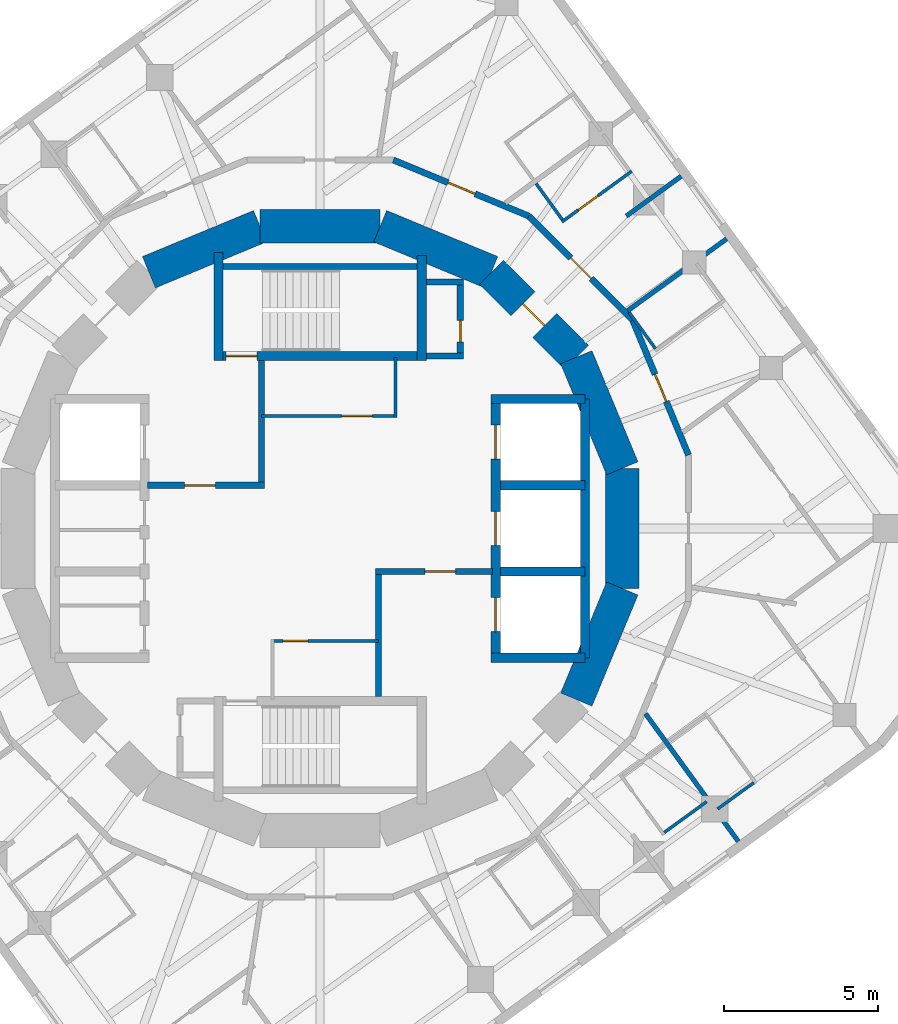
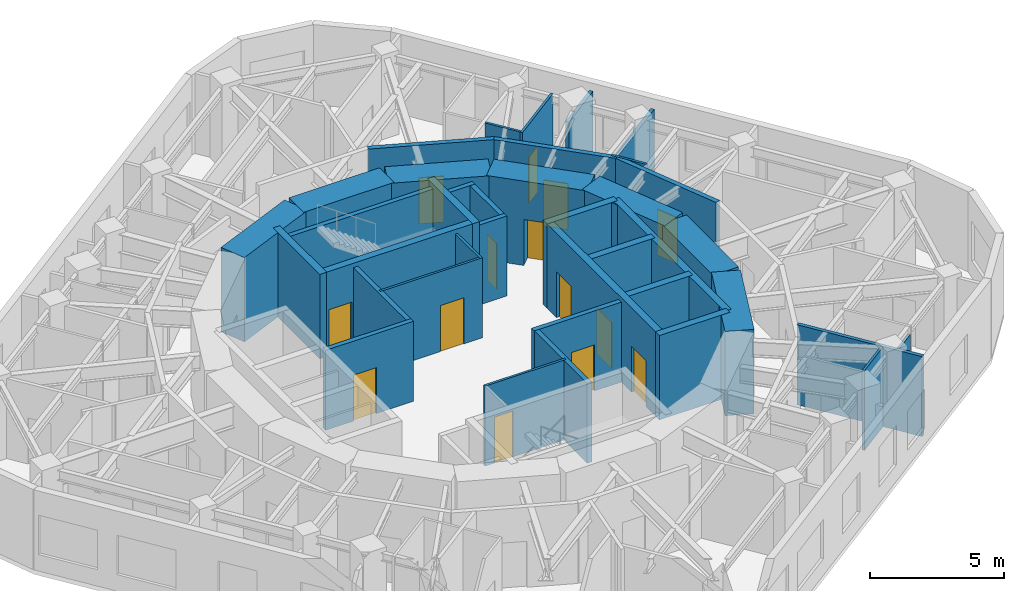
# One storey, part 6 of 9: 38 walls, 14 doors, 14 openings.
"""IFC4 building model written with IfcOpenShell, lengths in metres."""

from ifc_helpers import new_model, si_unit, direction, frame, frame_2d, origin, place, context, subcontext, project, spatial, rectangle, extrude, material, layer, layer_set, type_object, element, fill, save


model = new_model("IFC4")

# Units and contexts
model_context = context("Model", 3, precision=1e-05, world=origin(), true_north=direction((0.0, 1.0)))
body_context = subcontext(model_context, "Body", "Model", "MODEL_VIEW")
ifc_project = project(units=[si_unit("LENGTHUNIT", "METRE"), si_unit("AREAUNIT", "SQUARE_METRE"), si_unit("VOLUMEUNIT", "CUBIC_METRE"), si_unit("PLANEANGLEUNIT", "RADIAN"), si_unit("MASSUNIT", "GRAM", prefix="KILO")], contexts=[model_context])

# Site, building, storey
site_placement = place(None, origin())
site = spatial("IfcSite", under=ifc_project, at=site_placement, CompositionType="ELEMENT")
building_placement = place(site_placement, origin())
building = spatial("IfcBuilding", under=site, at=building_placement, Name="Nakasero Lantern House", CompositionType="ELEMENT")
storey_placement = place(building_placement, frame((0.0, 0.0, 290.699951171875)))
storey = spatial("IfcBuildingStorey", under=building, at=storey_placement, Name="L71", CompositionType="ELEMENT", Elevation=290.699951171875)

# Wall, openings, doors
ifc_material_1 = material(Name="Concrete C50/60", Category="concrete")
ifc_layer_1 = layer(ifc_material_1, 0.300048828125)
ifc_layer_set_1 = layer_set([ifc_layer_1], Name="Core inner wall 300")
wall_type_1 = type_object("IfcWallType", Name="Core inner wall 300", PredefinedType="SHEAR", material=ifc_layer_set_1)
wall_1_placement = place(storey_placement, frame((5.699951171875, -4.199951171875, 0.0), z_axis=(0.0, 0.0, 1.0), x_axis=(0.0, 1.0, 0.0)))
wall_1 = element("IfcWall", 1, at=wall_1_placement, inside=storey, type_object=wall_type_1, Name="Core inner wall L71 LE", PredefinedType="SHEAR", context=body_context, shape_type="SweptSolid", body=[
    extrude(rectangle(XDim=8.39990234375, YDim=0.300048828125, at=frame_2d((4.199951171875, 0.0))), origin(), (0.0, 0.0, 1.0), 3.85009765625),
])
opening_1_placement = place(wall_1_placement, frame((0.85009765625, 0.0, 0.0)))
opening_1 = element("IfcOpeningElement", 2, at=opening_1_placement, cuts=wall_1, Name="Opening LD", PredefinedType="OPENING", context=body_context, shape_type="SweptSolid", body=[
    extrude(rectangle(XDim=1.10009765625, YDim=2.10009765625, at=frame_2d((0.550048828125, 1.050048828125))), frame((0.0, 0.169921875, 0.0), z_axis=(0.0, -1.0, 0.0), x_axis=(1.0, 0.0, 0.0)), (0.0, 0.0, 1.0), 0.340087890625),
])
opening_2_placement = place(wall_1_placement, frame((3.64990234375, 0.0, 0.0)))
opening_2 = element("IfcOpeningElement", 3, at=opening_2_placement, cuts=wall_1, Name="Opening LD", PredefinedType="OPENING", context=body_context, shape_type="SweptSolid", body=[
    extrude(rectangle(XDim=1.10009765625, YDim=2.10009765625, at=frame_2d((0.550048828125, 1.050048828125))), frame((0.0, 0.169921875, 0.0), z_axis=(0.0, -1.0, 0.0), x_axis=(1.0, 0.0, 0.0)), (0.0, 0.0, 1.0), 0.340087890625),
])
opening_3_placement = place(wall_1_placement, frame((6.449951171875, 0.0, 0.0)))
opening_3 = element("IfcOpeningElement", 4, at=opening_3_placement, cuts=wall_1, Name="Opening LD", PredefinedType="OPENING", context=body_context, shape_type="SweptSolid", body=[
    extrude(rectangle(XDim=1.10009765625, YDim=2.10009765625, at=frame_2d((0.550048828125, 1.050048828125))), frame((0.0, 0.169921875, 0.0), z_axis=(0.0, -1.0, 0.0), x_axis=(1.0, 0.0, 0.0)), (0.0, 0.0, 1.0), 0.340087890625),
])
ifc_material_2 = material(Name="Steel S355", Category="steel")
door_type_1 = type_object("IfcDoorType", Name="Lift landing door E120 1100", OperationType="SLIDING_TO_LEFT", PredefinedType="DOOR", material=ifc_material_2)
door_1_placement = place(opening_1_placement, origin())
door_1 = element("IfcDoor", 5, at=door_1_placement, inside=storey, type_object=door_type_1, Name="Lift landing door LE1", OperationType="SLIDING_TO_LEFT", OverallHeight=2.10009765625, OverallWidth=1.10009765625, PredefinedType="DOOR", context=body_context, shape_type="SweptSolid", body=[
    extrude(rectangle(XDim=1.10009765625, YDim=2.10009765625, at=frame_2d((0.550048828125, 1.050048828125))), frame((0.0, 0.02490234375, 0.0), z_axis=(0.0, -1.0, 0.0), x_axis=(1.0, 0.0, 0.0)), (0.0, 0.0, 1.0), 0.050048828125),
])
fill(opening_1, door_1)
door_2_placement = place(opening_2_placement, origin())
door_2 = element("IfcDoor", 6, at=door_2_placement, inside=storey, type_object=door_type_1, Name="Lift landing door LE2", OperationType="SLIDING_TO_LEFT", OverallHeight=2.10009765625, OverallWidth=1.10009765625, PredefinedType="DOOR", context=body_context, shape_type="SweptSolid", body=[
    extrude(rectangle(XDim=1.10009765625, YDim=2.10009765625, at=frame_2d((0.550048828125, 1.050048828125))), frame((0.0, 0.02490234375, 0.0), z_axis=(0.0, -1.0, 0.0), x_axis=(1.0, 0.0, 0.0)), (0.0, 0.0, 1.0), 0.050048828125),
])
fill(opening_2, door_2)
door_3_placement = place(opening_3_placement, origin())
door_3 = element("IfcDoor", 7, at=door_3_placement, inside=storey, type_object=door_type_1, Name="Lift landing door LE3", OperationType="SLIDING_TO_LEFT", OverallHeight=2.10009765625, OverallWidth=1.10009765625, PredefinedType="DOOR", context=body_context, shape_type="SweptSolid", body=[
    extrude(rectangle(XDim=1.10009765625, YDim=2.10009765625, at=frame_2d((0.550048828125, 1.050048828125))), frame((0.0, 0.02490234375, 0.0), z_axis=(0.0, -1.0, 0.0), x_axis=(1.0, 0.0, 0.0)), (0.0, 0.0, 1.0), 0.050048828125),
])
fill(opening_3, door_3)

# Walls
for number, where, z_axis, x_axis, name in (
    (8, (5.550048828125, 4.199951171875, 0.0), (0.0, 0.0, 1.0), (1.0, 0.0, 0.0), "Core inner wall L71 LEN"),
    (9, (5.550048828125, -4.199951171875, 0.0), (0.0, 0.0, 1.0), (1.0, 0.0, 0.0), "Core inner wall L71 LES"),
):
    element("IfcWall", number, at=place(storey_placement, frame(where, z_axis=z_axis, x_axis=x_axis)), inside=storey, type_object=wall_type_1, Name=name, PredefinedType="SHEAR", context=body_context, shape_type="SweptSolid", body=[
        extrude(rectangle(XDim=3.050048828125, YDim=0.300048828125, at=frame_2d((1.52490234375, 0.0))), origin(), (0.0, 0.0, 1.0), 3.85009765625),
    ])
wall_2_placement = place(storey_placement, frame((8.60009765625, -4.199951171875, 0.0), z_axis=(0.0, 0.0, 1.0), x_axis=(0.0, 1.0, 0.0)))
element("IfcWall", 10, at=wall_2_placement, inside=storey, type_object=wall_type_1, Name="Core inner wall L71 LEB", PredefinedType="SHEAR", context=body_context, shape_type="SweptSolid", body=[
    extrude(rectangle(XDim=8.39990234375, YDim=0.300048828125, at=frame_2d((4.199951171875, 0.0))), origin(), (0.0, 0.0, 1.0), 3.85009765625),
])
for number, where, z_axis, x_axis, name in (
    (11, (5.85009765625, -1.39990234375, 0.0), (0.0, 0.0, 1.0), (1.0, 0.0, 0.0), "Core inner wall L71 LE1"),
    (12, (5.85009765625, 1.39990234375, 0.0), (0.0, 0.0, 1.0), (1.0, 0.0, 0.0), "Core inner wall L71 LE2"),
):
    element("IfcWall", number, at=place(storey_placement, frame(where, z_axis=z_axis, x_axis=x_axis)), inside=storey, type_object=wall_type_1, Name=name, PredefinedType="SHEAR", context=body_context, shape_type="SweptSolid", body=[
        extrude(rectangle(XDim=2.75, YDim=0.300048828125, at=frame_2d((1.375, 0.0))), origin(), (0.0, 0.0, 1.0), 3.85009765625),
    ])

# Wall, opening, door
wall_3_placement = place(storey_placement, frame((-3.449951171875, 5.60009765625, 0.0), z_axis=(0.0, 0.0, 1.0), x_axis=(1.0, 0.0, 0.0)))
wall_3 = element("IfcWall", 13, at=wall_3_placement, inside=storey, type_object=wall_type_1, Name="Core inner wall L71 SN", PredefinedType="SHEAR", context=body_context, shape_type="SweptSolid", body=[
    extrude(rectangle(XDim=6.89990234375, YDim=0.300048828125, at=frame_2d((3.449951171875, 0.0))), origin(), (0.0, 0.0, 1.0), 3.85009765625),
])
opening_4_placement = place(wall_3_placement, frame((0.39990234375, 0.0, 0.0)))
opening_4 = element("IfcOpeningElement", 14, at=opening_4_placement, cuts=wall_3, Name="Opening D05", PredefinedType="OPENING", context=body_context, shape_type="SweptSolid", body=[
    extrude(rectangle(XDim=1.0, YDim=2.10009765625, at=frame_2d((0.5, 1.050048828125))), frame((0.0, 0.169921875, 0.0), z_axis=(0.0, -1.0, 0.0), x_axis=(1.0, 0.0, 0.0)), (0.0, 0.0, 1.0), 0.340087890625),
])
ifc_material_3 = material(Name="Timber C24", Category="wood")
door_type_2 = type_object("IfcDoorType", Name="Core door FD60S 1000", OperationType="SINGLE_SWING_LEFT", PredefinedType="DOOR", material=ifc_material_3)
door_4_placement = place(opening_4_placement, origin())
door_4 = element("IfcDoor", 15, at=door_4_placement, inside=storey, type_object=door_type_2, Name="Door L71 D-ST1", OperationType="SINGLE_SWING_LEFT", OverallHeight=2.10009765625, OverallWidth=1.0, PredefinedType="DOOR", context=body_context, shape_type="SweptSolid", body=[
    extrude(rectangle(XDim=1.0, YDim=2.10009765625, at=frame_2d((0.5, 1.050048828125))), frame((0.0, 0.02490234375, 0.0), z_axis=(0.0, -1.0, 0.0), x_axis=(1.0, 0.0, 0.0)), (0.0, 0.0, 1.0), 0.050048828125),
])
fill(opening_4, door_4)

# Walls
wall_4_placement = place(storey_placement, frame((-3.300048828125, 5.449951171875, 0.0), z_axis=(0.0, 0.0, 1.0), x_axis=(0.0, 1.0, 0.0)))
element("IfcWall", 16, at=wall_4_placement, inside=storey, type_object=wall_type_1, Name="Core inner wall L71 SNW", PredefinedType="SHEAR", context=body_context, shape_type="SweptSolid", body=[
    extrude(rectangle(XDim=3.5, YDim=0.300048828125, at=frame_2d((1.75, 0.0))), origin(), (0.0, 0.0, 1.0), 3.85009765625),
])
wall_5_placement = place(storey_placement, frame((3.300048828125, 5.449951171875, 0.0), z_axis=(0.0, 0.0, 1.0), x_axis=(0.0, 1.0, 0.0)))
element("IfcWall", 17, at=wall_5_placement, inside=storey, type_object=wall_type_1, Name="Core inner wall L71 SNE", PredefinedType="SHEAR", context=body_context, shape_type="SweptSolid", body=[
    extrude(rectangle(XDim=3.400146484375, YDim=0.300048828125, at=frame_2d((1.7001953125, 0.0))), origin(), (0.0, 0.0, 1.0), 3.85009765625),
])

# Wall, opening, door
ifc_material_4 = material(Name="Blockwork", Category="masonry")
ifc_layer_2 = layer(ifc_material_4, 0.10009765625)
ifc_layer_set_2 = layer_set([ifc_layer_2], Name="Core room wall 100")
wall_type_2 = type_object("IfcWallType", Name="Core room wall 100", PredefinedType="PARTITIONING", material=ifc_layer_set_2)
wall_6_placement = place(storey_placement, frame((-1.89990234375, 3.64990234375, 0.0), z_axis=(0.0, 0.0, 1.0), x_axis=(1.0, 0.0, 0.0)))
wall_6 = element("IfcWall", 18, at=wall_6_placement, inside=storey, type_object=wall_type_2, Name="Core room wall L71 CR-NES", PredefinedType="PARTITIONING", context=body_context, shape_type="SweptSolid", body=[
    extrude(rectangle(XDim=4.39990234375, YDim=0.10009765625, at=frame_2d((2.199951171875, 0.0))), origin(), (0.0, 0.0, 1.0), 3.650146484375),
])
opening_5_placement = place(wall_6_placement, frame((2.60009765625, 0.0, 0.0)))
opening_5 = element("IfcOpeningElement", 19, at=opening_5_placement, cuts=wall_6, Name="Opening D07", PredefinedType="OPENING", context=body_context, shape_type="SweptSolid", body=[
    extrude(rectangle(XDim=1.0, YDim=2.10009765625, at=frame_2d((0.5, 1.050048828125))), frame((0.0, 0.070068359375, 0.0), z_axis=(0.0, -1.0, 0.0), x_axis=(1.0, 0.0, 0.0)), (0.0, 0.0, 1.0), 0.14013671875),
])
ifc_material_5 = material(Name="Timber C24", Category="wood")
door_type_3 = type_object("IfcDoorType", Name="Room door FD30S 1000", OperationType="SINGLE_SWING_LEFT", PredefinedType="DOOR", material=ifc_material_5)
door_5_placement = place(opening_5_placement, origin())
door_5 = element("IfcDoor", 20, at=door_5_placement, inside=storey, type_object=door_type_3, Name="Door L71 D-CR-NE", OperationType="SINGLE_SWING_RIGHT", OverallHeight=2.10009765625, OverallWidth=1.0, PredefinedType="DOOR", context=body_context, shape_type="SweptSolid", body=[
    extrude(rectangle(XDim=1.0, YDim=2.10009765625, at=frame_2d((0.5, 1.050048828125))), frame((0.0, 0.02490234375, 0.0), z_axis=(0.0, -1.0, 0.0), x_axis=(1.0, 0.0, 0.0)), (0.0, 0.0, 1.0), 0.050048828125),
])
fill(opening_5, door_5)

# Wall
wall_7_placement = place(storey_placement, frame((2.449951171875, 3.60009765625, 0.0), z_axis=(0.0, 0.0, 1.0), x_axis=(0.0, 1.0, 0.0)))
element("IfcWall", 21, at=wall_7_placement, inside=storey, type_object=wall_type_2, Name="Core room wall L71 CR-NEE", PredefinedType="PARTITIONING", context=body_context, shape_type="SweptSolid", body=[
    extrude(rectangle(XDim=1.949951171875, YDim=0.10009765625, at=frame_2d((0.97509765625, 0.0))), origin(), (0.0, 0.0, 1.0), 3.650146484375),
])

# Wall, opening, door
wall_8_placement = place(storey_placement, frame((-1.60009765625, -3.64990234375, 0.0), z_axis=(0.0, 0.0, 1.0), x_axis=(1.0, 0.0, 0.0)))
wall_8 = element("IfcWall", 22, at=wall_8_placement, inside=storey, type_object=wall_type_2, Name="Core room wall L71 CR-SWN", PredefinedType="PARTITIONING", context=body_context, shape_type="SweptSolid", body=[
    extrude(rectangle(XDim=3.5, YDim=0.10009765625, at=frame_2d((1.75, 0.0))), origin(), (0.0, 0.0, 1.0), 3.650146484375),
])
opening_6_placement = place(wall_8_placement, frame((0.39990234375, 0.0, 0.0)))
opening_6 = element("IfcOpeningElement", 23, at=opening_6_placement, cuts=wall_8, Name="Opening D15", PredefinedType="OPENING", context=body_context, shape_type="SweptSolid", body=[
    extrude(rectangle(XDim=0.800048828125, YDim=2.10009765625, at=frame_2d((0.39990234375, 1.050048828125))), frame((0.0, 0.070068359375, 0.0), z_axis=(0.0, -1.0, 0.0), x_axis=(1.0, 0.0, 0.0)), (0.0, 0.0, 1.0), 0.14013671875),
])
ifc_material_6 = material(Name="Timber C24", Category="wood")
door_type_4 = type_object("IfcDoorType", Name="Cleaner's store door FD30S 800", OperationType="SINGLE_SWING_LEFT", PredefinedType="DOOR", material=ifc_material_6)
door_6_placement = place(opening_6_placement, origin())
door_6 = element("IfcDoor", 24, at=door_6_placement, inside=storey, type_object=door_type_4, Name="Door L71 D-CR-SW", OperationType="SINGLE_SWING_LEFT", OverallHeight=2.10009765625, OverallWidth=0.800048828125, PredefinedType="DOOR", context=body_context, shape_type="SweptSolid", body=[
    extrude(rectangle(XDim=0.800048828125, YDim=2.10009765625, at=frame_2d((0.39990234375, 1.050048828125))), frame((0.0, 0.02490234375, 0.0), z_axis=(0.0, -1.0, 0.0), x_axis=(1.0, 0.0, 0.0)), (0.0, 0.0, 1.0), 0.050048828125),
])
fill(opening_6, door_6)

# Wall
ifc_material_7 = material(Name="Concrete C50/60", Category="concrete")
ifc_layer_3 = layer(ifc_material_7, 1.10009765625)
ifc_layer_set_3 = layer_set([ifc_layer_3], Name="Core wall 1100")
wall_type_3 = type_object("IfcWallType", Name="Core wall 1100", PredefinedType="SHEAR", material=ifc_layer_set_3)
wall_9_placement = place(storey_placement, frame((9.807861328125, 1.950927734375, 0.0), z_axis=(0.0, 0.0, 1.0), x_axis=(-0.382690736062, 0.923876507187, 0.0)))
element("IfcWall", 25, at=wall_9_placement, inside=storey, type_object=wall_type_3, Name="Core wall L71 facet 1", PredefinedType="SHEAR", context=body_context, shape_type="SweptSolid", body=[
    extrude(rectangle(XDim=3.90185546875, YDim=1.10009765625, at=frame_2d((1.950927734375, 0.0))), origin(), (0.0, 0.0, 1.0), 3.85009765625),
])

# Wall, opening, door
wall_10_placement = place(storey_placement, frame((8.314697265625, 5.5556640625, 0.0), z_axis=(0.0, 0.0, 1.0), x_axis=(-0.707106781187, 0.707106781187, 0.0)))
wall_10 = element("IfcWall", 26, at=wall_10_placement, inside=storey, type_object=wall_type_3, Name="Core wall L71 facet 2", PredefinedType="SHEAR", context=body_context, shape_type="SweptSolid", body=[
    extrude(rectangle(XDim=3.90185546875, YDim=1.10009765625, at=frame_2d((1.950927734375, 0.0))), origin(), (0.0, 0.0, 1.0), 3.85009765625),
])
opening_7_placement = place(wall_10_placement, frame((1.450927734375, 0.0, 0.0)))
opening_7 = element("IfcOpeningElement", 27, at=opening_7_placement, cuts=wall_10, Name="Opening D05", PredefinedType="OPENING", context=body_context, shape_type="SweptSolid", body=[
    extrude(rectangle(XDim=1.0, YDim=2.10009765625, at=frame_2d((0.5, 1.050048828125))), frame((0.0, 0.570068359375, 0.0), z_axis=(0.0, -1.0, 0.0), x_axis=(1.0, 0.0, 0.0)), (0.0, 0.0, 1.0), 1.14013671875),
])
door_7_placement = place(opening_7_placement, origin())
door_7 = element("IfcDoor", 28, at=door_7_placement, inside=storey, type_object=door_type_2, Name="Door L71 D-CORE02", OperationType="SINGLE_SWING_LEFT", OverallHeight=2.10009765625, OverallWidth=1.0, PredefinedType="DOOR", context=body_context, shape_type="SweptSolid", body=[
    extrude(rectangle(XDim=1.0, YDim=2.10009765625, at=frame_2d((0.5, 1.050048828125))), frame((0.0, 0.02490234375, 0.0), z_axis=(0.0, -1.0, 0.0), x_axis=(1.0, 0.0, 0.0)), (0.0, 0.0, 1.0), 0.050048828125),
])
fill(opening_7, door_7)

# Walls
for number, where, z_axis, x_axis, name in (
    (29, (5.5556640625, 8.314697265625, 0.0), (0.0, 0.0, 1.0), (-0.923876507187, 0.382690736062, 0.0), "Core wall L71 facet 3"),
    (30, (1.950927734375, 9.807861328125, 0.0), (0.0, 0.0, 1.0), (-1.0, 0.0, 0.0), "Core wall L71 facet 4"),
    (31, (-1.950927734375, 9.807861328125, 0.0), (0.0, 0.0, 1.0), (-0.923876507187, -0.382690736062, 0.0), "Core wall L71 facet 5"),
    (32, (8.314697265625, -5.5556640625, 0.0), (0.0, 0.0, 1.0), (0.382690736062, 0.923876507187, 0.0), "Core wall L71 facet 15"),
    (33, (9.807861328125, -1.950927734375, 0.0), (0.0, 0.0, 1.0), (0.0, 1.0, 0.0), "Core wall L71 facet 16"),
):
    element("IfcWall", number, at=place(storey_placement, frame(where, z_axis=z_axis, x_axis=x_axis)), inside=storey, type_object=wall_type_3, Name=name, PredefinedType="SHEAR", context=body_context, shape_type="SweptSolid", body=[
        extrude(rectangle(XDim=3.90185546875, YDim=1.10009765625, at=frame_2d((1.950927734375, 0.0))), origin(), (0.0, 0.0, 1.0), 3.85009765625),
    ])

# Wall, opening, door
ifc_material_8 = material(Name="Blockwork", Category="masonry")
ifc_layer_4 = layer(ifc_material_8, 0.199951171875)
ifc_layer_set_4 = layer_set([ifc_layer_4], Name="Corridor wall 200")
wall_type_4 = type_object("IfcWallType", Name="Corridor wall 200", PredefinedType="PARTITIONING", material=ifc_layer_set_4)
wall_11_placement = place(storey_placement, frame((2.378662109375, 11.957763671875, 0.0), z_axis=(0.0, 0.0, 1.0), x_axis=(0.923891735412, -0.382653970627, 0.0)))
wall_11 = element("IfcWall", 34, at=wall_11_placement, inside=storey, type_object=wall_type_4, Name="Corridor wall L71 RC13a", PredefinedType="PARTITIONING", context=body_context, shape_type="SweptSolid", body=[
    extrude(rectangle(XDim=4.757080078125, YDim=0.199951171875, at=frame_2d((2.37841796875, 0.0))), origin(), (0.0, 0.0, 1.0), 3.650146484375),
])
opening_8_placement = place(wall_11_placement, frame((1.919921875, 0.0, 0.0)))
opening_8 = element("IfcOpeningElement", 35, at=opening_8_placement, cuts=wall_11, Name="Opening D01", PredefinedType="OPENING", context=body_context, shape_type="SweptSolid", body=[
    extrude(rectangle(XDim=0.949951171875, YDim=2.10009765625, at=frame_2d((0.47509765625, 1.050048828125))), frame((0.0, 0.119873046875, 0.0), z_axis=(0.0, -1.0, 0.0), x_axis=(1.0, 0.0, 0.0)), (0.0, 0.0, 1.0), 0.239990234375),
])
ifc_material_9 = material(Name="Timber C24", Category="wood")
door_type_5 = type_object("IfcDoorType", Name="Bedroom door FD30S 950", OperationType="SINGLE_SWING_LEFT", PredefinedType="DOOR", material=ifc_material_9)
door_8_placement = place(opening_8_placement, origin())
door_8 = element("IfcDoor", 36, at=door_8_placement, inside=storey, type_object=door_type_5, Name="Door L71 D0-06", OperationType="SINGLE_SWING_RIGHT", OverallHeight=2.10009765625, OverallWidth=0.949951171875, PredefinedType="DOOR", context=body_context, shape_type="SweptSolid", body=[
    extrude(rectangle(XDim=0.949951171875, YDim=2.10009765625, at=frame_2d((0.47509765625, 1.050048828125))), frame((0.0, 0.02490234375, 0.0), z_axis=(0.0, -1.0, 0.0), x_axis=(1.0, 0.0, 0.0)), (0.0, 0.0, 1.0), 0.050048828125),
])
fill(opening_8, door_8)

wall_12_placement = place(storey_placement, frame((6.773681640625, 10.137451171875, 0.0), z_axis=(0.0, 0.0, 1.0), x_axis=(0.707106781187, -0.707106781187, 0.0)))
wall_12 = element("IfcWall", 37, at=wall_12_placement, inside=storey, type_object=wall_type_4, Name="Corridor wall L71 RC14a", PredefinedType="PARTITIONING", context=body_context, shape_type="SweptSolid", body=[
    extrude(rectangle(XDim=4.757080078125, YDim=0.199951171875, at=frame_2d((2.37841796875, 0.0))), origin(), (0.0, 0.0, 1.0), 3.650146484375),
])
opening_9_placement = place(wall_12_placement, frame((1.919921875, 0.0, 0.0)))
opening_9 = element("IfcOpeningElement", 38, at=opening_9_placement, cuts=wall_12, Name="Opening D01", PredefinedType="OPENING", context=body_context, shape_type="SweptSolid", body=[
    extrude(rectangle(XDim=0.949951171875, YDim=2.10009765625, at=frame_2d((0.47509765625, 1.050048828125))), frame((0.0, 0.119873046875, 0.0), z_axis=(0.0, -1.0, 0.0), x_axis=(1.0, 0.0, 0.0)), (0.0, 0.0, 1.0), 0.239990234375),
])
door_9_placement = place(opening_9_placement, origin())
door_9 = element("IfcDoor", 39, at=door_9_placement, inside=storey, type_object=door_type_5, Name="Door L71 D0-04", OperationType="SINGLE_SWING_RIGHT", OverallHeight=2.10009765625, OverallWidth=0.949951171875, PredefinedType="DOOR", context=body_context, shape_type="SweptSolid", body=[
    extrude(rectangle(XDim=0.949951171875, YDim=2.10009765625, at=frame_2d((0.47509765625, 1.050048828125))), frame((0.0, 0.02490234375, 0.0), z_axis=(0.0, -1.0, 0.0), x_axis=(1.0, 0.0, 0.0)), (0.0, 0.0, 1.0), 0.050048828125),
])
fill(opening_9, door_9)

wall_13_placement = place(storey_placement, frame((10.137451171875, 6.773681640625, 0.0), z_axis=(0.0, 0.0, 1.0), x_axis=(0.382653970627, -0.923891735412, 0.0)))
wall_13 = element("IfcWall", 40, at=wall_13_placement, inside=storey, type_object=wall_type_4, Name="Corridor wall L71 RC15a", PredefinedType="PARTITIONING", context=body_context, shape_type="SweptSolid", body=[
    extrude(rectangle(XDim=4.757080078125, YDim=0.199951171875, at=frame_2d((2.37841796875, 0.0))), origin(), (0.0, 0.0, 1.0), 3.650146484375),
])
opening_10_placement = place(wall_13_placement, frame((1.919921875, 0.0, 0.0)))
opening_10 = element("IfcOpeningElement", 41, at=opening_10_placement, cuts=wall_13, Name="Opening D01", PredefinedType="OPENING", context=body_context, shape_type="SweptSolid", body=[
    extrude(rectangle(XDim=0.949951171875, YDim=2.10009765625, at=frame_2d((0.47509765625, 1.050048828125))), frame((0.0, 0.119873046875, 0.0), z_axis=(0.0, -1.0, 0.0), x_axis=(1.0, 0.0, 0.0)), (0.0, 0.0, 1.0), 0.239990234375),
])
door_10_placement = place(opening_10_placement, origin())
door_10 = element("IfcDoor", 42, at=door_10_placement, inside=storey, type_object=door_type_5, Name="Door L71 D0-03", OperationType="SINGLE_SWING_RIGHT", OverallHeight=2.10009765625, OverallWidth=0.949951171875, PredefinedType="DOOR", context=body_context, shape_type="SweptSolid", body=[
    extrude(rectangle(XDim=0.949951171875, YDim=2.10009765625, at=frame_2d((0.47509765625, 1.050048828125))), frame((0.0, 0.02490234375, 0.0), z_axis=(0.0, -1.0, 0.0), x_axis=(1.0, 0.0, 0.0)), (0.0, 0.0, 1.0), 0.050048828125),
])
fill(opening_10, door_10)

# Wall
ifc_material_10 = material(Name="Blockwork", Category="masonry")
ifc_layer_5 = layer(ifc_material_10, 0.10009765625)
ifc_layer_set_5 = layer_set([ifc_layer_5], Name="En-suite wall 100")
wall_type_5 = type_object("IfcWallType", Name="En-suite wall 100", PredefinedType="PARTITIONING", material=ifc_layer_set_5)
wall_14_placement = place(storey_placement, frame((10.883544921875, 5.8349609375, 0.0), z_axis=(0.0, 0.0, 1.0), x_axis=(-0.587781191743, 0.809019944521, 0.0)))
element("IfcWall", 43, at=wall_14_placement, inside=storey, type_object=wall_type_5, Name="En-suite wall L71 EI0-03", PredefinedType="PARTITIONING", context=body_context, shape_type="SweptSolid", body=[
    extrude(rectangle(XDim=1.449951171875, YDim=0.10009765625, at=frame_2d((0.72509765625, 0.0))), origin(), (0.0, 0.0, 1.0), 3.650146484375),
])

# Wall, opening, door
wall_15_placement = place(storey_placement, frame((7.851318359375, 9.949462890625, 0.0), z_axis=(0.0, 0.0, 1.0), x_axis=(0.809011254605, 0.587793152327, 0.0)))
wall_15 = element("IfcWall", 44, at=wall_15_placement, inside=storey, type_object=wall_type_5, Name="En-suite wall L71 ES0-04", PredefinedType="PARTITIONING", context=body_context, shape_type="SweptSolid", body=[
    extrude(rectangle(XDim=2.7998046875, YDim=0.10009765625, at=frame_2d((1.39990234375, 0.0))), origin(), (0.0, 0.0, 1.0), 3.650146484375),
])
opening_11_placement = place(wall_15_placement, frame((0.64990234375, 0.0, 0.0)))
opening_11 = element("IfcOpeningElement", 45, at=opening_11_placement, cuts=wall_15, Name="Opening D02", PredefinedType="OPENING", context=body_context, shape_type="SweptSolid", body=[
    extrude(rectangle(XDim=0.800048828125, YDim=2.10009765625, at=frame_2d((0.39990234375, 1.050048828125))), frame((0.0, 0.070068359375, 0.0), z_axis=(0.0, -1.0, 0.0), x_axis=(1.0, 0.0, 0.0)), (0.0, 0.0, 1.0), 0.14013671875),
])
ifc_material_11 = material(Name="Timber C24", Category="wood")
door_type_6 = type_object("IfcDoorType", Name="En-suite door 800", OperationType="SINGLE_SWING_RIGHT", PredefinedType="DOOR", material=ifc_material_11)
door_11_placement = place(opening_11_placement, origin())
door_11 = element("IfcDoor", 46, at=door_11_placement, inside=storey, type_object=door_type_6, Name="Door L71 DE0-04", OperationType="SINGLE_SWING_LEFT", OverallHeight=2.10009765625, OverallWidth=0.800048828125, PredefinedType="DOOR", context=body_context, shape_type="SweptSolid", body=[
    extrude(rectangle(XDim=0.800048828125, YDim=2.10009765625, at=frame_2d((0.39990234375, 1.050048828125))), frame((0.0, 0.02490234375, 0.0), z_axis=(0.0, -1.0, 0.0), x_axis=(1.0, 0.0, 0.0)), (0.0, 0.0, 1.0), 0.050048828125),
])
fill(opening_11, door_11)

# Walls
wall_16_placement = place(storey_placement, frame((7.8623046875, 10.019287109375, 0.0), z_axis=(0.0, 0.0, 1.0), x_axis=(-0.587781191743, 0.809019944521, 0.0)))
element("IfcWall", 47, at=wall_16_placement, inside=storey, type_object=wall_type_5, Name="En-suite wall L71 EI0-04", PredefinedType="PARTITIONING", context=body_context, shape_type="SweptSolid", body=[
    extrude(rectangle(XDim=1.449951171875, YDim=0.10009765625, at=frame_2d((0.72509765625, 0.0))), origin(), (0.0, 0.0, 1.0), 3.650146484375),
])
wall_17_placement = place(storey_placement, frame((11.1689453125, -9.8701171875, 0.0), z_axis=(0.0, 0.0, 1.0), x_axis=(0.809040252033, 0.58775323954, 0.0)))
element("IfcWall", 48, at=wall_17_placement, inside=storey, type_object=wall_type_5, Name="En-suite wall L71 EE3-04", PredefinedType="PARTITIONING", context=body_context, shape_type="SweptSolid", body=[
    extrude(rectangle(XDim=1.7001953125, YDim=0.10009765625, at=frame_2d((0.85009765625, 0.0))), origin(), (0.0, 0.0, 1.0), 3.650146484375),
])
wall_18_placement = place(storey_placement, frame((12.90087890625, -9.106201171875, 0.0), z_axis=(0.0, 0.0, 1.0), x_axis=(0.809019944521, 0.587781191743, 0.0)))
element("IfcWall", 49, at=wall_18_placement, inside=storey, type_object=wall_type_5, Name="En-suite wall L71 EE3-06", PredefinedType="PARTITIONING", context=body_context, shape_type="SweptSolid", body=[
    extrude(rectangle(XDim=1.449951171875, YDim=0.10009765625, at=frame_2d((0.72509765625, 0.0))), origin(), (0.0, 0.0, 1.0), 3.295166015625),
])

# Wall, opening, door
ifc_material_12 = material(Name="Blockwork", Category="masonry")
ifc_layer_6 = layer(ifc_material_12, 0.199951171875)
ifc_layer_set_6 = layer_set([ifc_layer_6], Name="Fire lobby wall 200")
wall_type_6 = type_object("IfcWallType", Name="Fire lobby wall 200", PredefinedType="PARTITIONING", material=ifc_layer_set_6)
wall_19_placement = place(storey_placement, frame((-5.60009765625, 1.39990234375, 0.0), z_axis=(0.0, 0.0, 1.0), x_axis=(1.0, 0.0, 0.0)))
wall_19 = element("IfcWall", 50, at=wall_19_placement, inside=storey, type_object=wall_type_6, Name="Fire lobby wall L71 W-FL1S", PredefinedType="PARTITIONING", context=body_context, shape_type="SweptSolid", body=[
    extrude(rectangle(XDim=3.800048828125, YDim=0.199951171875, at=frame_2d((1.89990234375, 0.0))), origin(), (0.0, 0.0, 1.0), 3.650146484375),
])
opening_12_placement = place(wall_19_placement, frame((1.199951171875, 0.0, 0.0)))
opening_12 = element("IfcOpeningElement", 51, at=opening_12_placement, cuts=wall_19, Name="Opening D05", PredefinedType="OPENING", context=body_context, shape_type="SweptSolid", body=[
    extrude(rectangle(XDim=1.0, YDim=2.10009765625, at=frame_2d((0.5, 1.050048828125))), frame((0.0, 0.119873046875, 0.0), z_axis=(0.0, -1.0, 0.0), x_axis=(1.0, 0.0, 0.0)), (0.0, 0.0, 1.0), 0.239990234375),
])
door_12_placement = place(opening_12_placement, origin())
door_12 = element("IfcDoor", 52, at=door_12_placement, inside=storey, type_object=door_type_2, Name="Door L71 D-FL1", OperationType="SINGLE_SWING_LEFT", OverallHeight=2.10009765625, OverallWidth=1.0, PredefinedType="DOOR", context=body_context, shape_type="SweptSolid", body=[
    extrude(rectangle(XDim=1.0, YDim=2.10009765625, at=frame_2d((0.5, 1.050048828125))), frame((0.0, 0.02490234375, 0.0), z_axis=(0.0, -1.0, 0.0), x_axis=(1.0, 0.0, 0.0)), (0.0, 0.0, 1.0), 0.050048828125),
])
fill(opening_12, door_12)

# Wall
wall_20_placement = place(storey_placement, frame((-1.89990234375, 1.5, 0.0), z_axis=(0.0, 0.0, 1.0), x_axis=(0.0, 1.0, 0.0)))
element("IfcWall", 53, at=wall_20_placement, inside=storey, type_object=wall_type_6, Name="Fire lobby wall L71 W-FL1E", PredefinedType="PARTITIONING", context=body_context, shape_type="SweptSolid", body=[
    extrude(rectangle(XDim=3.949951171875, YDim=0.199951171875, at=frame_2d((1.97509765625, 0.0))), origin(), (0.0, 0.0, 1.0), 3.650146484375),
])

# Wall, opening, door
wall_21_placement = place(storey_placement, frame((5.60009765625, -1.39990234375, 0.0), z_axis=(0.0, 0.0, 1.0), x_axis=(-1.0, 0.0, 0.0)))
wall_21 = element("IfcWall", 54, at=wall_21_placement, inside=storey, type_object=wall_type_6, Name="Fire lobby wall L71 W-FL2N", PredefinedType="PARTITIONING", context=body_context, shape_type="SweptSolid", body=[
    extrude(rectangle(XDim=3.800048828125, YDim=0.199951171875, at=frame_2d((1.89990234375, 0.0))), origin(), (0.0, 0.0, 1.0), 3.650146484375),
])
opening_13_placement = place(wall_21_placement, frame((1.199951171875, 0.0, 0.0)))
opening_13 = element("IfcOpeningElement", 55, at=opening_13_placement, cuts=wall_21, Name="Opening D05", PredefinedType="OPENING", context=body_context, shape_type="SweptSolid", body=[
    extrude(rectangle(XDim=1.0, YDim=2.10009765625, at=frame_2d((0.5, 1.050048828125))), frame((0.0, 0.119873046875, 0.0), z_axis=(0.0, -1.0, 0.0), x_axis=(1.0, 0.0, 0.0)), (0.0, 0.0, 1.0), 0.239990234375),
])
door_13_placement = place(opening_13_placement, origin())
door_13 = element("IfcDoor", 56, at=door_13_placement, inside=storey, type_object=door_type_2, Name="Door L71 D-FL2", OperationType="SINGLE_SWING_LEFT", OverallHeight=2.10009765625, OverallWidth=1.0, PredefinedType="DOOR", context=body_context, shape_type="SweptSolid", body=[
    extrude(rectangle(XDim=1.0, YDim=2.10009765625, at=frame_2d((0.5, 1.050048828125))), frame((0.0, 0.02490234375, 0.0), z_axis=(0.0, -1.0, 0.0), x_axis=(1.0, 0.0, 0.0)), (0.0, 0.0, 1.0), 0.050048828125),
])
fill(opening_13, door_13)

# Wall
wall_22_placement = place(storey_placement, frame((1.89990234375, -1.5, 0.0), z_axis=(0.0, 0.0, 1.0), x_axis=(0.0, -1.0, 0.0)))
element("IfcWall", 57, at=wall_22_placement, inside=storey, type_object=wall_type_6, Name="Fire lobby wall L71 W-FL2W", PredefinedType="PARTITIONING", context=body_context, shape_type="SweptSolid", body=[
    extrude(rectangle(XDim=3.949951171875, YDim=0.199951171875, at=frame_2d((1.97509765625, 0.0))), origin(), (0.0, 0.0, 1.0), 3.650146484375),
])

# Wall, opening, door
wall_23_placement = place(storey_placement, frame((4.550048828125, 5.60009765625, 0.0), z_axis=(0.0, 0.0, 1.0), x_axis=(0.0, 1.0, 0.0)))
wall_23 = element("IfcWall", 58, at=wall_23_placement, inside=storey, type_object=wall_type_6, Name="Fire lobby wall L71 W-RS1E", PredefinedType="PARTITIONING", context=body_context, shape_type="SweptSolid", body=[
    extrude(rectangle(XDim=2.39990234375, YDim=0.199951171875, at=frame_2d((1.199951171875, 0.0))), origin(), (0.0, 0.0, 1.0), 3.650146484375),
])
opening_14_placement = place(wall_23_placement, frame((0.449951171875, 0.0, 0.0)))
opening_14 = element("IfcOpeningElement", 59, at=opening_14_placement, cuts=wall_23, Name="Opening D06", PredefinedType="OPENING", context=body_context, shape_type="SweptSolid", body=[
    extrude(rectangle(XDim=0.699951171875, YDim=2.10009765625, at=frame_2d((0.35009765625, 1.050048828125))), frame((0.0, 0.119873046875, 0.0), z_axis=(0.0, -1.0, 0.0), x_axis=(1.0, 0.0, 0.0)), (0.0, 0.0, 1.0), 0.239990234375),
])
ifc_material_13 = material(Name="Steel S355", Category="steel")
door_type_7 = type_object("IfcDoorType", Name="Riser door FD60 700", OperationType="SINGLE_SWING_LEFT", PredefinedType="DOOR", material=ifc_material_13)
door_14_placement = place(opening_14_placement, origin())
door_14 = element("IfcDoor", 60, at=door_14_placement, inside=storey, type_object=door_type_7, Name="Door L71 D-RS1", OperationType="SINGLE_SWING_LEFT", OverallHeight=2.10009765625, OverallWidth=0.699951171875, PredefinedType="DOOR", context=body_context, shape_type="SweptSolid", body=[
    extrude(rectangle(XDim=0.699951171875, YDim=2.10009765625, at=frame_2d((0.35009765625, 1.050048828125))), frame((0.0, 0.02490234375, 0.0), z_axis=(0.0, -1.0, 0.0), x_axis=(1.0, 0.0, 0.0)), (0.0, 0.0, 1.0), 0.050048828125),
])
fill(opening_14, door_14)

# Walls
for number, where, z_axis, x_axis, name in (
    (61, (3.449951171875, 8.0, 0.0), (0.0, 0.0, 1.0), (1.0, 0.0, 0.0), "Fire lobby wall L71 W-RS1N"),
    (62, (3.449951171875, 5.60009765625, 0.0), (0.0, 0.0, 1.0), (1.0, 0.0, 0.0), "Fire lobby wall L71 W-RS1S"),
):
    element("IfcWall", number, at=place(storey_placement, frame(where, z_axis=z_axis, x_axis=x_axis)), inside=storey, type_object=wall_type_6, Name=name, PredefinedType="PARTITIONING", context=body_context, shape_type="SweptSolid", body=[
        extrude(rectangle(XDim=1.199951171875, YDim=0.199951171875, at=frame_2d((0.60009765625, 0.0))), origin(), (0.0, 0.0, 1.0), 3.650146484375),
    ])
wall_24_placement = place(storey_placement, frame((-3.300048828125, 8.5, 0.0), z_axis=(0.0, 0.0, 1.0), x_axis=(1.0, 0.0, 0.0)))
element("IfcWall", 63, at=wall_24_placement, inside=storey, type_object=wall_type_6, Name="Fire lobby wall L71 W-STN", PredefinedType="PARTITIONING", context=body_context, shape_type="SweptSolid", body=[
    extrude(rectangle(XDim=6.60009765625, YDim=0.199951171875, at=frame_2d((3.300048828125, 0.0))), origin(), (0.0, 0.0, 1.0), 3.650146484375),
])
ifc_material_14 = material(Name="Blockwork", Category="masonry")
ifc_layer_7 = layer(ifc_material_14, 0.14990234375)
ifc_layer_set_7 = layer_set([ifc_layer_7], Name="Party wall 150")
wall_type_7 = type_object("IfcWallType", Name="Party wall 150", PredefinedType="PARTITIONING", material=ifc_layer_set_7)
wall_25_placement = place(storey_placement, frame((9.939208984375, 10.13818359375, 0.0), z_axis=(0.0, 0.0, 1.0), x_axis=(0.808990345923, 0.587821928992, 0.0)))
element("IfcWall", 64, at=wall_25_placement, inside=storey, type_object=wall_type_7, Name="Party wall L71 PN0-05", PredefinedType="PARTITIONING", context=body_context, shape_type="SweptSolid", body=[
    extrude(rectangle(XDim=2.199951171875, YDim=0.14990234375, at=frame_2d((1.10009765625, 0.0))), origin(), (0.0, 0.0, 1.0), 3.295166015625),
])
wall_26_placement = place(storey_placement, frame((9.985107421875, 7.067138671875, 0.0), z_axis=(0.0, 0.0, 1.0), x_axis=(0.809004739075, 0.587802119896, 0.0)))
element("IfcWall", 65, at=wall_26_placement, inside=storey, type_object=wall_type_7, Name="Party wall L71 PW0-04", PredefinedType="PARTITIONING", context=body_context, shape_type="SweptSolid", body=[
    extrude(rectangle(XDim=3.9677734375, YDim=0.14990234375, at=frame_2d((1.98388671875, 0.0))), origin(), (0.0, 0.0, 1.0), 3.18994140625),
])
wall_27_placement = place(storey_placement, frame((10.560791015625, -6.012939453125, 0.0), z_axis=(0.0, 0.0, 1.0), x_axis=(0.587780977736, -0.809020100005, 0.0)))
element("IfcWall", 66, at=wall_27_placement, inside=storey, type_object=wall_type_7, Name="Party wall L71 PW3-06", PredefinedType="PARTITIONING", context=body_context, shape_type="SweptSolid", body=[
    extrude(rectangle(XDim=5.1279296875, YDim=0.14990234375, at=frame_2d((2.56396484375, 0.0))), origin(), (0.0, 0.0, 1.0), 3.650146484375),
])

save(model, "model.ifc")
